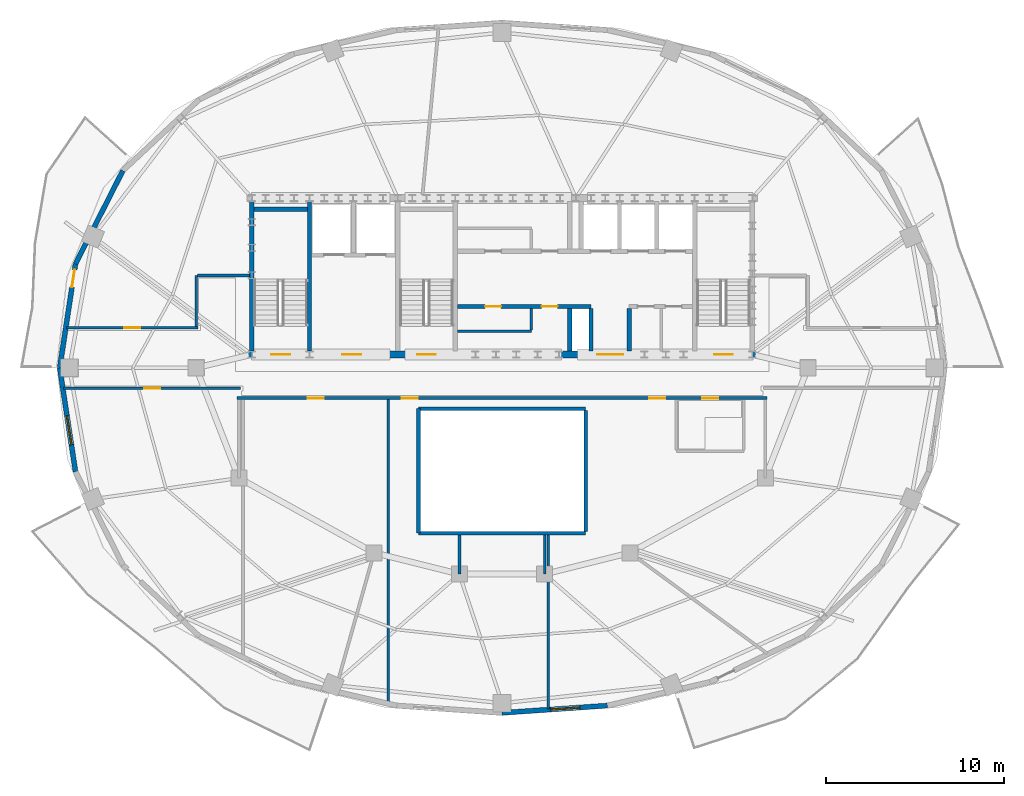
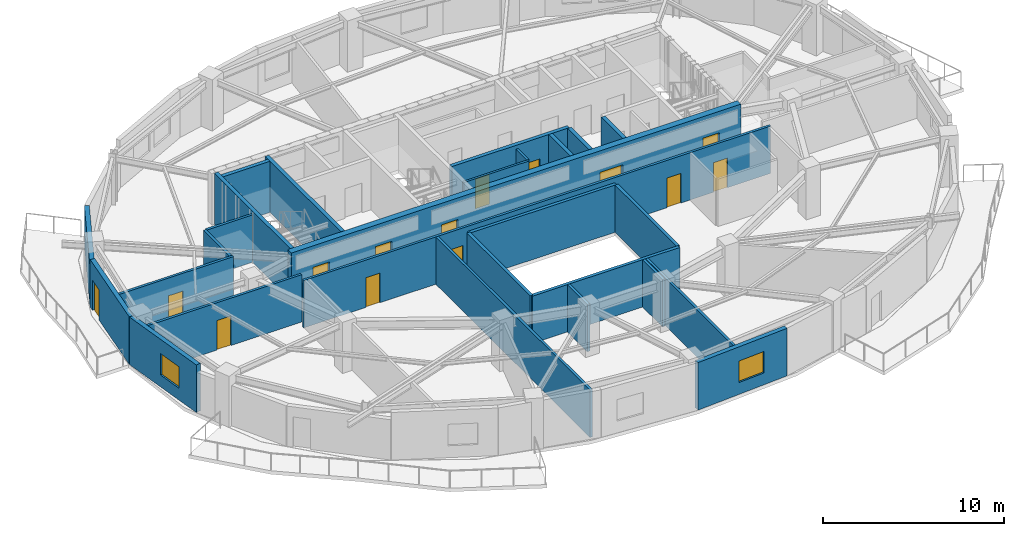
# One storey, part 4 of 10: 27 walls, 14 doors, 2 windows, 16 openings.
"""IFC4 building model written with IfcOpenShell, lengths in metres."""

from ifc_helpers import new_model, si_unit, direction, frame, frame_2d, origin, place, context, subcontext, project, spatial, rectangle, extrude, material, layer, layer_set, type_object, element, fill, save


model = new_model("IFC4")

# Units and contexts
model_context = context("Model", 3, precision=1e-05, world=origin(), true_north=direction((0.0, 1.0)))
body_context = subcontext(model_context, "Body", "Model", "MODEL_VIEW")
ifc_project = project(units=[si_unit("LENGTHUNIT", "METRE"), si_unit("AREAUNIT", "SQUARE_METRE"), si_unit("VOLUMEUNIT", "CUBIC_METRE"), si_unit("PLANEANGLEUNIT", "RADIAN"), si_unit("MASSUNIT", "GRAM", prefix="KILO")], contexts=[model_context])

# Site, building, storey
site_placement = place(None, origin())
site = spatial("IfcSite", under=ifc_project, at=site_placement, CompositionType="ELEMENT")
building_placement = place(site_placement, origin())
building = spatial("IfcBuilding", under=site, at=building_placement, Name="Haldorwick Loom Tower", CompositionType="ELEMENT")
storey_placement = place(building_placement, frame((0.0, 0.0, 266.10009765625)))
storey = spatial("IfcBuildingStorey", under=building, at=storey_placement, Name="L72", CompositionType="ELEMENT", Elevation=266.10009765625)

# Wall
ifc_material_1 = material(Name="Pressed Clay Face Brick and Insulated Masonry Backup Assembly", Category="masonry")
ifc_layer_1 = layer(ifc_material_1, 0.280029296875, Name="Pressed Clay Face Brick and Insulated Masonry Backup Assembly", Category="masonry")
ifc_layer_set_1 = layer_set([ifc_layer_1], Name="Pressed Clay Face Brick and Insulated Masonry Backup Assembly")
wall_type_1 = type_object("IfcWallType", Name="ARC-WL-EXT280", PredefinedType="STANDARD", material=ifc_layer_set_1)
wall_1_placement = place(storey_placement, frame((14.677490234375, 37.08984375, 0.0), z_axis=(0.0, 0.0, 1.0), x_axis=(-0.453100705059, -0.89145933787, 0.0)))
element("IfcWall", 1, at=wall_1_placement, inside=storey, type_object=wall_type_1, Name="L72 Brick Pier and Spandrel Wall 11", PredefinedType="STANDARD", context=body_context, shape_type="SweptSolid", body=[
    extrude(rectangle(XDim=5.879150390625, YDim=0.280029296875, at=frame_2d((2.939453125, 0.0))), origin(), (0.0, 0.0, 1.0), 2.718994140625),
])

# Wall, opening, door
wall_2_placement = place(storey_placement, frame((12.013671875, 31.848876953125, 0.0), z_axis=(0.0, 0.0, 1.0), x_axis=(-0.150497234153, -0.988610430105, 0.0)))
wall_2 = element("IfcWall", 2, at=wall_2_placement, inside=storey, type_object=wall_type_1, Name="L72 Brick Pier and Spandrel Wall 12", PredefinedType="STANDARD", context=body_context, shape_type="SweptSolid", body=[
    extrude(rectangle(XDim=5.916259765625, YDim=0.280029296875, at=frame_2d((2.9580078125, 0.0))), origin(), (0.0, 0.0, 1.0), 3.2099609375),
])
opening_1_placement = place(wall_2_placement, frame((0.340087890625, 0.0, 0.0)))
opening_1 = element("IfcOpeningElement", 3, at=opening_1_placement, cuts=wall_2, Name="Opening D-BL10", PredefinedType="OPENING", context=body_context, shape_type="SweptSolid", body=[
    extrude(rectangle(XDim=1.0, YDim=2.0400390625, at=frame_2d((0.5, 1.02001953125))), frame((0.0, 0.14990234375, 0.0), z_axis=(0.0, -1.0, 0.0), x_axis=(1.0, 0.0, 0.0)), (0.0, 0.0, 1.0), 0.300048828125),
])
ifc_material_2 = material(Name="Thermally Broken Anodized Aluminium Curtain Wall Framing", Category="aluminium")
door_type_1 = type_object("IfcDoorType", Name="ARC-DR-BAL100", OperationType="NOTDEFINED", PredefinedType="DOOR", material=ifc_material_2)
door_1_placement = place(opening_1_placement, origin())
door_1 = element("IfcDoor", 4, at=door_1_placement, inside=storey, type_object=door_type_1, Name="L72 Outdoor Terrace Door SLB-L72-BAL_WNW", OperationType="SINGLE_SWING_RIGHT", OverallHeight=2.0400390625, OverallWidth=1.0, PredefinedType="DOOR", context=body_context, shape_type="SweptSolid", body=[
    extrude(rectangle(XDim=1.0, YDim=2.0400390625, at=frame_2d((0.5, 1.02001953125))), frame((0.0, 0.02490234375, 0.0), z_axis=(0.0, -1.0, 0.0), x_axis=(1.0, 0.0, 0.0)), (0.0, 0.0, 1.0), 0.050048828125),
])
fill(opening_1, door_1)

# Wall, opening, window
wall_3_placement = place(storey_placement, frame((11.123291015625, 26.0, 0.0), z_axis=(0.0, 0.0, 1.0), x_axis=(0.150497234153, -0.988610430105, 0.0)))
wall_3 = element("IfcWall", 5, at=wall_3_placement, inside=storey, type_object=wall_type_1, Name="L72 Brick Pier and Spandrel Wall 13", PredefinedType="STANDARD", context=body_context, shape_type="SweptSolid", body=[
    extrude(rectangle(XDim=5.916259765625, YDim=0.280029296875, at=frame_2d((2.9580078125, 0.0))), origin(), (0.0, 0.0, 1.0), 3.2099609375),
])
opening_2_placement = place(wall_3_placement, frame((2.73095703125, 0.0, 0.800048828125)))
opening_2 = element("IfcOpeningElement", 6, at=opening_2_placement, cuts=wall_3, Name="Opening W-01B", PredefinedType="OPENING", context=body_context, shape_type="SweptSolid", body=[
    extrude(rectangle(XDim=1.64990234375, YDim=1.449951171875, at=frame_2d((0.824951171875, 0.72509765625))), frame((0.0, 0.14990234375, 0.0), z_axis=(0.0, -1.0, 0.0), x_axis=(1.0, 0.0, 0.0)), (0.0, 0.0, 1.0), 0.300048828125),
])
ifc_material_3 = material(Name="Triple-Glazed Low-E Argon Insulated Glazing Unit", Category="glass")
window_type = type_object("IfcWindowType", Name="ARC-WIN-W165", PartitioningType="SINGLE_PANEL", PredefinedType="WINDOW", material=ifc_material_3)
window_1_placement = place(opening_2_placement, origin())
window_1 = element("IfcWindow", 7, at=window_1_placement, inside=storey, type_object=window_type, Name="L72 Deep-Set Zone 7A Window 13", OverallHeight=1.449951171875, OverallWidth=1.64990234375, PartitioningType="SINGLE_PANEL", PredefinedType="WINDOW", context=body_context, shape_type="SweptSolid", body=[
    extrude(rectangle(XDim=1.64990234375, YDim=1.449951171875, at=frame_2d((0.824951171875, 0.72509765625))), frame((0.0, 0.030029296875, 0.0), z_axis=(0.0, -1.0, 0.0), x_axis=(1.0, 0.0, 0.0)), (0.0, 0.0, 1.0), 0.06005859375),
])
fill(opening_2, window_1)

wall_4_placement = place(storey_placement, frame((36.0, 6.60009765625, 0.0), z_axis=(0.0, 0.0, 1.0), x_axis=(0.997656066566, 0.068427865986, 0.0)))
wall_4 = element("IfcWall", 8, at=wall_4_placement, inside=storey, type_object=wall_type_1, Name="L72 Brick Pier and Spandrel Wall 19", PredefinedType="STANDARD", context=body_context, shape_type="SweptSolid", body=[
    extrude(rectangle(XDim=5.933349609375, YDim=0.280029296875, at=frame_2d((2.966796875, 0.0))), origin(), (0.0, 0.0, 1.0), 3.2099609375),
])
opening_3_placement = place(wall_4_placement, frame((2.7421875, 0.0, 0.800048828125)))
opening_3 = element("IfcOpeningElement", 9, at=opening_3_placement, cuts=wall_4, Name="Opening W-01B", PredefinedType="OPENING", context=body_context, shape_type="SweptSolid", body=[
    extrude(rectangle(XDim=1.64990234375, YDim=1.449951171875, at=frame_2d((0.824951171875, 0.72509765625))), frame((0.0, 0.14990234375, 0.0), z_axis=(0.0, -1.0, 0.0), x_axis=(1.0, 0.0, 0.0)), (0.0, 0.0, 1.0), 0.300048828125),
])
window_2_placement = place(opening_3_placement, origin())
window_2 = element("IfcWindow", 10, at=window_2_placement, inside=storey, type_object=window_type, Name="L72 Deep-Set Zone 7A Window 19", OverallHeight=1.449951171875, OverallWidth=1.64990234375, PartitioningType="SINGLE_PANEL", PredefinedType="WINDOW", context=body_context, shape_type="SweptSolid", body=[
    extrude(rectangle(XDim=1.64990234375, YDim=1.449951171875, at=frame_2d((0.824951171875, 0.72509765625))), frame((0.0, 0.030029296875, 0.0), z_axis=(0.0, -1.0, 0.0), x_axis=(1.0, 0.0, 0.0)), (0.0, 0.0, 1.0), 0.06005859375),
])
fill(opening_3, window_2)

# Wall, openings, doors
ifc_material_4 = material(Name="Fire-Rated Type X Gypsum Stud Assembly EI 60")
ifc_layer_2 = layer(ifc_material_4, 0.159912109375, Name="Fire-Rated Type X Gypsum Stud Assembly EI 60")
ifc_layer_set_2 = layer_set([ifc_layer_2], Name="Fire-Rated Type X Gypsum Stud Assembly EI 60")
wall_type_2 = type_object("IfcWallType", Name="ARC-WL-FIRE160", PredefinedType="PARTITIONING", material=ifc_layer_set_2)
wall_5_placement = place(storey_placement, frame((21.10009765625, 24.300048828125, 0.0), z_axis=(0.0, 0.0, 1.0), x_axis=(1.0, 0.0, 0.0)))
wall_5 = element("IfcWall", 11, at=wall_5_placement, inside=storey, type_object=wall_type_2, Name="L72 Residential Fire Partition L72-CR-SP", PredefinedType="PARTITIONING", context=body_context, shape_type="SweptSolid", body=[
    extrude(rectangle(XDim=29.7998046875, YDim=0.159912109375, at=frame_2d((14.89990234375, 0.0))), origin(), (0.0, 0.0, 1.0), 3.19482421875),
])
opening_4_placement = place(wall_5_placement, frame((23.169189453125, 0.0, 0.0)))
opening_4 = element("IfcOpeningElement", 12, at=opening_4_placement, cuts=wall_5, Name="Opening D-FD60A", PredefinedType="OPENING", context=body_context, shape_type="SweptSolid", body=[
    extrude(rectangle(XDim=0.89990234375, YDim=2.0, at=frame_2d((0.449951171875, 1.0))), frame((0.0, 0.08984375, 0.0), z_axis=(0.0, -1.0, 0.0), x_axis=(1.0, 0.0, 0.0)), (0.0, 0.0, 1.0), 0.179931640625),
])
opening_5_placement = place(wall_5_placement, frame((9.248779296875, 0.0, 0.0)))
opening_5 = element("IfcOpeningElement", 13, at=opening_5_placement, cuts=wall_5, Name="Opening D-FD60A", PredefinedType="OPENING", context=body_context, shape_type="SweptSolid", body=[
    extrude(rectangle(XDim=0.89990234375, YDim=2.0, at=frame_2d((0.449951171875, 1.0))), frame((0.0, 0.08984375, 0.0), z_axis=(0.0, -1.0, 0.0), x_axis=(1.0, 0.0, 0.0)), (0.0, 0.0, 1.0), 0.179931640625),
])
opening_6_placement = place(wall_5_placement, frame((3.96484375, 0.0, 0.0)))
opening_6 = element("IfcOpeningElement", 14, at=opening_6_placement, cuts=wall_5, Name="Opening D-FD60A", PredefinedType="OPENING", context=body_context, shape_type="SweptSolid", body=[
    extrude(rectangle(XDim=0.89990234375, YDim=2.0, at=frame_2d((0.449951171875, 1.0))), frame((0.0, 0.08984375, 0.0), z_axis=(0.0, -1.0, 0.0), x_axis=(1.0, 0.0, 0.0)), (0.0, 0.0, 1.0), 0.179931640625),
])
opening_7_placement = place(wall_5_placement, frame((26.1494140625, 0.0, 0.0)))
opening_7 = element("IfcOpeningElement", 15, at=opening_7_placement, cuts=wall_5, Name="Opening D-FD60A", PredefinedType="OPENING", context=body_context, shape_type="SweptSolid", body=[
    extrude(rectangle(XDim=0.89990234375, YDim=2.0, at=frame_2d((0.449951171875, 1.0))), frame((0.0, 0.08984375, 0.0), z_axis=(0.0, -1.0, 0.0), x_axis=(1.0, 0.0, 0.0)), (0.0, 0.0, 1.0), 0.179931640625),
])
ifc_material_5 = material(Name="Hollow Steel Fire Door Assembly", Category="steel")
door_type_2 = type_object("IfcDoorType", Name="ARC-DR-FD60-90", OperationType="NOTDEFINED", PredefinedType="DOOR", material=ifc_material_5)
door_2_placement = place(opening_4_placement, origin())
door_2 = element("IfcDoor", 16, at=door_2_placement, inside=storey, type_object=door_type_2, Name="L72 L72 Central Residential Corridor to Community Library Hall 2 Door", OperationType="SINGLE_SWING_RIGHT", OverallHeight=2.0, OverallWidth=0.89990234375, PredefinedType="DOOR", context=body_context, shape_type="SweptSolid", body=[
    extrude(rectangle(XDim=0.89990234375, YDim=2.0, at=frame_2d((0.449951171875, 1.0))), frame((0.0, 0.02490234375, 0.0), z_axis=(0.0, -1.0, 0.0), x_axis=(1.0, 0.0, 0.0)), (0.0, 0.0, 1.0), 0.050048828125),
])
fill(opening_4, door_2)
door_3_placement = place(opening_5_placement, origin())
door_3 = element("IfcDoor", 17, at=door_3_placement, inside=storey, type_object=door_type_2, Name="L72 L72 Central Residential Corridor to Community Library Hall 1 Door", OperationType="SINGLE_SWING_RIGHT", OverallHeight=2.0, OverallWidth=0.89990234375, PredefinedType="DOOR", context=body_context, shape_type="SweptSolid", body=[
    extrude(rectangle(XDim=0.89990234375, YDim=2.0, at=frame_2d((0.449951171875, 1.0))), frame((0.0, 0.02490234375, 0.0), z_axis=(0.0, -1.0, 0.0), x_axis=(1.0, 0.0, 0.0)), (0.0, 0.0, 1.0), 0.050048828125),
])
fill(opening_5, door_3)
door_4_placement = place(opening_6_placement, origin())
door_4 = element("IfcDoor", 18, at=door_4_placement, inside=storey, type_object=door_type_2, Name="L72 L72 Central Residential Corridor to Community Library Hall 2 Door", OperationType="SINGLE_SWING_LEFT", OverallHeight=2.0, OverallWidth=0.89990234375, PredefinedType="DOOR", context=body_context, shape_type="SweptSolid", body=[
    extrude(rectangle(XDim=0.89990234375, YDim=2.0, at=frame_2d((0.449951171875, 1.0))), frame((0.0, 0.02490234375, 0.0), z_axis=(0.0, -1.0, 0.0), x_axis=(1.0, 0.0, 0.0)), (0.0, 0.0, 1.0), 0.050048828125),
])
fill(opening_6, door_4)
door_5_placement = place(opening_7_placement, origin())
door_5 = element("IfcDoor", 19, at=door_5_placement, inside=storey, type_object=door_type_2, Name="L72 L72 Central Residential Corridor to Common Accessible WC Door", OperationType="SINGLE_SWING_RIGHT", OverallHeight=2.0, OverallWidth=0.89990234375, PredefinedType="DOOR", context=body_context, shape_type="SweptSolid", body=[
    extrude(rectangle(XDim=0.89990234375, YDim=2.0, at=frame_2d((0.449951171875, 1.0))), frame((0.0, 0.02490234375, 0.0), z_axis=(0.0, -1.0, 0.0), x_axis=(1.0, 0.0, 0.0)), (0.0, 0.0, 1.0), 0.050048828125),
])
fill(opening_7, door_5)

# Wall, opening, door
wall_6_placement = place(storey_placement, frame((11.34375, 24.85009765625, 0.0), z_axis=(0.0, 0.0, 1.0), x_axis=(1.0, 0.0, 0.0)))
wall_6 = element("IfcWall", 20, at=wall_6_placement, inside=storey, type_object=wall_type_2, Name="L72 Residential Fire Partition L72-CR-SPW", PredefinedType="PARTITIONING", context=body_context, shape_type="SweptSolid", body=[
    extrude(rectangle(XDim=9.956298828125, YDim=0.159912109375, at=frame_2d((4.97802734375, 0.0))), origin(), (0.0, 0.0, 1.0), 3.19482421875),
])
opening_8_placement = place(wall_6_placement, frame((4.528076171875, 0.0, 0.0)))
opening_8 = element("IfcOpeningElement", 21, at=opening_8_placement, cuts=wall_6, Name="Opening D-FD60A", PredefinedType="OPENING", context=body_context, shape_type="SweptSolid", body=[
    extrude(rectangle(XDim=0.89990234375, YDim=2.0, at=frame_2d((0.449951171875, 1.0))), frame((0.0, 0.08984375, 0.0), z_axis=(0.0, -1.0, 0.0), x_axis=(1.0, 0.0, 0.0)), (0.0, 0.0, 1.0), 0.179931640625),
])
door_6_placement = place(opening_8_placement, origin())
door_6 = element("IfcDoor", 22, at=door_6_placement, inside=storey, type_object=door_type_2, Name="L72 L72 Central Residential Corridor to Community Library Hall 3 Door", OperationType="SINGLE_SWING_LEFT", OverallHeight=2.0, OverallWidth=0.89990234375, PredefinedType="DOOR", context=body_context, shape_type="SweptSolid", body=[
    extrude(rectangle(XDim=0.89990234375, YDim=2.0, at=frame_2d((0.449951171875, 1.0))), frame((0.0, 0.02490234375, 0.0), z_axis=(0.0, -1.0, 0.0), x_axis=(1.0, 0.0, 0.0)), (0.0, 0.0, 1.0), 0.050048828125),
])
fill(opening_8, door_6)

wall_7_placement = place(storey_placement, frame((11.51123046875, 28.25, 0.0), z_axis=(0.0, 0.0, 1.0), x_axis=(1.0, 0.0, 0.0)))
wall_7 = element("IfcWall", 23, at=wall_7_placement, inside=storey, type_object=wall_type_2, Name="L72 Residential Fire Partition L72-CR-NWL", PredefinedType="PARTITIONING", context=body_context, shape_type="SweptSolid", body=[
    extrude(rectangle(XDim=7.388671875, YDim=0.159912109375, at=frame_2d((3.6943359375, 0.0))), origin(), (0.0, 0.0, 1.0), 3.19482421875),
])
opening_9_placement = place(wall_7_placement, frame((3.244384765625, 0.0, 0.0)))
opening_9 = element("IfcOpeningElement", 24, at=opening_9_placement, cuts=wall_7, Name="Opening D-FD60A", PredefinedType="OPENING", context=body_context, shape_type="SweptSolid", body=[
    extrude(rectangle(XDim=0.89990234375, YDim=2.0, at=frame_2d((0.449951171875, 1.0))), frame((0.0, 0.08984375, 0.0), z_axis=(0.0, -1.0, 0.0), x_axis=(1.0, 0.0, 0.0)), (0.0, 0.0, 1.0), 0.179931640625),
])
door_7_placement = place(opening_9_placement, frame((0.89990234375, 0.0, 0.0), z_axis=(0.0, 0.0, 1.0), x_axis=(-1.0, 0.0, 0.0)))
door_7 = element("IfcDoor", 25, at=door_7_placement, inside=storey, type_object=door_type_2, Name="L72 Community Library Hall 3 to L72 Central Residential Corridor Door", OperationType="SINGLE_SWING_RIGHT", OverallHeight=2.0, OverallWidth=0.89990234375, PredefinedType="DOOR", context=body_context, shape_type="SweptSolid", body=[
    extrude(rectangle(XDim=0.89990234375, YDim=2.0, at=frame_2d((0.449951171875, 1.0))), frame((0.0, 0.02490234375, 0.0), z_axis=(0.0, -1.0, 0.0), x_axis=(1.0, 0.0, 0.0)), (0.0, 0.0, 1.0), 0.050048828125),
])
fill(opening_9, door_7)

# Walls
wall_8_placement = place(storey_placement, frame((18.800048828125, 28.3330078125, 0.0), z_axis=(0.0, 0.0, 1.0), x_axis=(0.0, 1.0, 0.0)))
element("IfcWall", 26, at=wall_8_placement, inside=storey, type_object=wall_type_2, Name="L72 Residential Fire Partition L72-CR-W0", PredefinedType="PARTITIONING", context=body_context, shape_type="SweptSolid", body=[
    extrude(rectangle(XDim=2.866943359375, YDim=0.159912109375, at=frame_2d((1.43359375, 0.0))), origin(), (0.0, 0.0, 1.0), 3.19482421875),
])
wall_9_placement = place(storey_placement, frame((18.883056640625, 31.199951171875, 0.0), z_axis=(0.0, 0.0, 1.0), x_axis=(1.0, 0.0, 0.0)))
element("IfcWall", 27, at=wall_9_placement, inside=storey, type_object=wall_type_2, Name="L72 Residential Fire Partition L72-CR-WNJ", PredefinedType="PARTITIONING", context=body_context, shape_type="SweptSolid", body=[
    extrude(rectangle(XDim=2.923828125, YDim=0.159912109375, at=frame_2d((1.4619140625, 0.0))), origin(), (0.0, 0.0, 1.0), 3.19482421875),
])
wall_10_placement = place(storey_placement, frame((29.60009765625, 7.162841796875, 0.0), z_axis=(0.0, 0.0, 1.0), x_axis=(0.0, 1.0, 0.0)))
element("IfcWall", 28, at=wall_10_placement, inside=storey, type_object=wall_type_2, Name="L72 Residential Fire Partition L72-SBP-0", PredefinedType="PARTITIONING", context=body_context, shape_type="SweptSolid", body=[
    extrude(rectangle(XDim=17.05419921875, YDim=0.159912109375, at=frame_2d((8.527099609375, 0.0))), origin(), (0.0, 0.0, 1.0), 3.19482421875),
])
wall_11_placement = place(storey_placement, frame((38.60009765625, 6.823486328125, 0.0), z_axis=(0.0, 0.0, 1.0), x_axis=(0.0, 1.0, 0.0)))
element("IfcWall", 29, at=wall_11_placement, inside=storey, type_object=wall_type_2, Name="L72 Residential Fire Partition L72-SBP-1", PredefinedType="PARTITIONING", context=body_context, shape_type="SweptSolid", body=[
    extrude(rectangle(XDim=9.7734375, YDim=0.159912109375, at=frame_2d((4.88671875, 0.0))), origin(), (0.0, 0.0, 1.0), 3.19482421875),
])
for number, where, z_axis, x_axis, name in (
    (30, (38.39990234375, 16.596923828125, 0.0), (0.0, 0.0, 1.0), (0.0, -1.0, 0.0), "L72 Residential Fire Partition L72-ICA-04"),
    (31, (33.60009765625, 16.596923828125, 0.0), (0.0, 0.0, 1.0), (0.0, -1.0, 0.0), "L72 Residential Fire Partition L72-ICA-05"),
):
    element("IfcWall", number, at=place(storey_placement, frame(where, z_axis=z_axis, x_axis=x_axis)), inside=storey, type_object=wall_type_2, Name=name, PredefinedType="PARTITIONING", context=body_context, shape_type="SweptSolid", body=[
        extrude(rectangle(XDim=2.197021484375, YDim=0.159912109375, at=frame_2d((1.0986328125, 0.0))), origin(), (0.0, 0.0, 1.0), 3.19482421875),
    ])
ifc_material_6 = material(Name="Fire-Rated Type X Gypsum Stud Assembly EI 120")
ifc_layer_3 = layer(ifc_material_6, 0.199951171875, Name="Fire-Rated Type X Gypsum Stud Assembly EI 120")
ifc_layer_set_3 = layer_set([ifc_layer_3], Name="Fire-Rated Type X Gypsum Stud Assembly EI 120")
wall_type_3 = type_object("IfcWallType", Name="ARC-WL-FIRE200", PredefinedType="PARTITIONING", material=ifc_layer_set_3)
for number, where, z_axis, x_axis, name in (
    (32, (31.300048828125, 23.699951171875, 0.0), (0.0, 0.0, 1.0), (1.0, 0.0, 0.0), "L72 Atrium Fire Enclosure Wall N"),
    (33, (40.699951171875, 16.699951171875, 0.0), (0.0, 0.0, 1.0), (-1.0, 0.0, 0.0), "L72 Atrium Fire Enclosure Wall S"),
):
    element("IfcWall", number, at=place(storey_placement, frame(where, z_axis=z_axis, x_axis=x_axis)), inside=storey, type_object=wall_type_3, Name=name, PredefinedType="PARTITIONING", context=body_context, shape_type="SweptSolid", body=[
        extrude(rectangle(XDim=9.39990234375, YDim=0.199951171875, at=frame_2d((4.699951171875, 0.0))), origin(), (0.0, 0.0, 1.0), 3.19482421875),
    ])
wall_12_placement = place(storey_placement, frame((31.300048828125, 16.699951171875, 0.0), z_axis=(0.0, 0.0, 1.0), x_axis=(0.0, 1.0, 0.0)))
element("IfcWall", 34, at=wall_12_placement, inside=storey, type_object=wall_type_3, Name="L72 Atrium Fire Enclosure Wall W", PredefinedType="PARTITIONING", context=body_context, shape_type="SweptSolid", body=[
    extrude(rectangle(XDim=7.0, YDim=0.199951171875, at=frame_2d((3.5, 0.0))), origin(), (0.0, 0.0, 1.0), 3.19482421875),
])
wall_13_placement = place(storey_placement, frame((40.699951171875, 23.596923828125, 0.0), z_axis=(0.0, 0.0, 1.0), x_axis=(0.0, -1.0, 0.0)))
element("IfcWall", 35, at=wall_13_placement, inside=storey, type_object=wall_type_3, Name="L72 Atrium Fire Enclosure Wall E", PredefinedType="PARTITIONING", context=body_context, shape_type="SweptSolid", body=[
    extrude(rectangle(XDim=6.7939453125, YDim=0.199951171875, at=frame_2d((3.39697265625, 0.0))), origin(), (0.0, 0.0, 1.0), 3.19482421875),
])
ifc_layer_4 = layer(ifc_material_4, 0.139892578125, Name="Fire-Rated Type X Gypsum Stud Assembly EI 60")
ifc_layer_set_4 = layer_set([ifc_layer_4], Name="Fire-Rated Type X Gypsum Stud Assembly EI 60")
wall_type_4 = type_object("IfcWallType", Name="ARC-WL-PART140", PredefinedType="PARTITIONING", material=ifc_layer_set_4)
wall_14_placement = place(storey_placement, frame((33.492919921875, 28.050048828125, 0.0), z_axis=(0.0, 0.0, 1.0), x_axis=(1.0, 0.0, 0.0)))
element("IfcWall", 36, at=wall_14_placement, inside=storey, type_object=wall_type_4, Name="L72 Mid-Bank North Partition", PredefinedType="PARTITIONING", context=body_context, shape_type="SweptSolid", body=[
    extrude(rectangle(XDim=4.156982421875, YDim=0.139892578125, at=frame_2d((2.07861328125, 0.0))), origin(), (0.0, 0.0, 1.0), 3.19482421875),
])
wall_15_placement = place(storey_placement, frame((37.64990234375, 28.123046875, 0.0), z_axis=(0.0, 0.0, 1.0), x_axis=(0.0, 1.0, 0.0)))
element("IfcWall", 37, at=wall_15_placement, inside=storey, type_object=wall_type_4, Name="L72 Mid-Bank East Partition", PredefinedType="PARTITIONING", context=body_context, shape_type="SweptSolid", body=[
    extrude(rectangle(XDim=1.203857421875, YDim=0.139892578125, at=frame_2d((0.60205078125, 0.0))), origin(), (0.0, 0.0, 1.0), 3.19482421875),
])

# Wall, openings, doors
ifc_material_7 = material(Name="Concrete C50 (50 MPa)", Category="concrete")
ifc_layer_5 = layer(ifc_material_7, 0.39990234375, Name="Concrete C50 (50 MPa)", Category="concrete")
ifc_layer_set_5 = layer_set([ifc_layer_5], Name="Concrete C50 (50 MPa)")
wall_type_5 = type_object("IfcWallType", Name="STR-WL-CORE400", PredefinedType="SHEAR", material=ifc_layer_set_5)
wall_16_placement = place(storey_placement, frame((21.64990234375, 26.75, 0.0), z_axis=(0.0, 0.0, 1.0), x_axis=(1.0, 0.0, 0.0)))
wall_16 = element("IfcWall", 38, at=wall_16_placement, inside=storey, type_object=wall_type_5, Name="L72 Core Shear Wall S", PredefinedType="SHEAR", context=body_context, shape_type="SweptSolid", body=[
    extrude(rectangle(XDim=28.7001953125, YDim=0.39990234375, at=frame_2d((14.35009765625, 0.0))), origin(), (0.0, 0.0, 1.0), 3.449951171875),
])
opening_10_placement = place(wall_16_placement, frame((1.375, 0.0, 0.0)))
opening_10 = element("IfcOpeningElement", 39, at=opening_10_placement, cuts=wall_16, Name="Opening D-FD60", PredefinedType="OPENING", context=body_context, shape_type="SweptSolid", body=[
    extrude(rectangle(XDim=1.050048828125, YDim=2.0, at=frame_2d((0.52490234375, 1.0))), frame((0.0, 0.2099609375, 0.0), z_axis=(0.0, -1.0, 0.0), x_axis=(1.0, 0.0, 0.0)), (0.0, 0.0, 1.0), 0.419921875),
])
opening_11_placement = place(wall_16_placement, frame((5.375, 0.0, 0.0)))
opening_11 = element("IfcOpeningElement", 40, at=opening_11_placement, cuts=wall_16, Name="Opening D-FD60", PredefinedType="OPENING", context=body_context, shape_type="SweptSolid", body=[
    extrude(rectangle(XDim=1.050048828125, YDim=2.0, at=frame_2d((0.52490234375, 1.0))), frame((0.0, 0.2099609375, 0.0), z_axis=(0.0, -1.0, 0.0), x_axis=(1.0, 0.0, 0.0)), (0.0, 0.0, 1.0), 0.419921875),
])
opening_12_placement = place(wall_16_placement, frame((9.574951171875, 0.0, 0.0)))
opening_12 = element("IfcOpeningElement", 41, at=opening_12_placement, cuts=wall_16, Name="Opening D-FD60", PredefinedType="OPENING", context=body_context, shape_type="SweptSolid", body=[
    extrude(rectangle(XDim=1.050048828125, YDim=2.0, at=frame_2d((0.52490234375, 1.0))), frame((0.0, 0.2099609375, 0.0), z_axis=(0.0, -1.0, 0.0), x_axis=(1.0, 0.0, 0.0)), (0.0, 0.0, 1.0), 0.419921875),
])
opening_13_placement = place(wall_16_placement, frame((19.705078125, 0.0, 0.0)))
opening_13 = element("IfcOpeningElement", 42, at=opening_13_placement, cuts=wall_16, Name="Opening D-LB15", PredefinedType="OPENING", context=body_context, shape_type="SweptSolid", body=[
    extrude(rectangle(XDim=1.449951171875, YDim=2.0, at=frame_2d((0.72509765625, 1.0))), frame((0.0, 0.2099609375, 0.0), z_axis=(0.0, -1.0, 0.0), x_axis=(1.0, 0.0, 0.0)), (0.0, 0.0, 1.0), 0.419921875),
])
opening_14_placement = place(wall_16_placement, frame((26.27490234375, 0.0, 0.0)))
opening_14 = element("IfcOpeningElement", 43, at=opening_14_placement, cuts=wall_16, Name="Opening D-FD60", PredefinedType="OPENING", context=body_context, shape_type="SweptSolid", body=[
    extrude(rectangle(XDim=1.050048828125, YDim=2.0, at=frame_2d((0.52490234375, 1.0))), frame((0.0, 0.2099609375, 0.0), z_axis=(0.0, -1.0, 0.0), x_axis=(1.0, 0.0, 0.0)), (0.0, 0.0, 1.0), 0.419921875),
])
door_type_3 = type_object("IfcDoorType", Name="ARC-DR-FD60", OperationType="NOTDEFINED", PredefinedType="DOOR", material=ifc_material_5)
door_8_placement = place(opening_10_placement, origin())
door_8 = element("IfcDoor", 44, at=door_8_placement, inside=storey, type_object=door_type_3, Name="L72 Exit Stair ST-01 Fire Door", OperationType="SINGLE_SWING_RIGHT", OverallHeight=2.0, OverallWidth=1.050048828125, PredefinedType="DOOR", context=body_context, shape_type="SweptSolid", body=[
    extrude(rectangle(XDim=1.050048828125, YDim=2.0, at=frame_2d((0.52490234375, 1.0))), frame((0.0, 0.02490234375, 0.0), z_axis=(0.0, -1.0, 0.0), x_axis=(1.0, 0.0, 0.0)), (0.0, 0.0, 1.0), 0.050048828125),
])
fill(opening_10, door_8)
door_9_placement = place(opening_11_placement, origin())
door_9 = element("IfcDoor", 45, at=door_9_placement, inside=storey, type_object=door_type_3, Name="L72 Firefighting Lift Lobby Fire Door", OperationType="SINGLE_SWING_LEFT", OverallHeight=2.0, OverallWidth=1.050048828125, PredefinedType="DOOR", context=body_context, shape_type="SweptSolid", body=[
    extrude(rectangle(XDim=1.050048828125, YDim=2.0, at=frame_2d((0.52490234375, 1.0))), frame((0.0, 0.02490234375, 0.0), z_axis=(0.0, -1.0, 0.0), x_axis=(1.0, 0.0, 0.0)), (0.0, 0.0, 1.0), 0.050048828125),
])
fill(opening_11, door_9)
door_10_placement = place(opening_12_placement, origin())
door_10 = element("IfcDoor", 46, at=door_10_placement, inside=storey, type_object=door_type_3, Name="L72 Exit Stair ST-03 Fire Door", OperationType="SINGLE_SWING_LEFT", OverallHeight=2.0, OverallWidth=1.050048828125, PredefinedType="DOOR", context=body_context, shape_type="SweptSolid", body=[
    extrude(rectangle(XDim=1.050048828125, YDim=2.0, at=frame_2d((0.52490234375, 1.0))), frame((0.0, 0.02490234375, 0.0), z_axis=(0.0, -1.0, 0.0), x_axis=(1.0, 0.0, 0.0)), (0.0, 0.0, 1.0), 0.050048828125),
])
fill(opening_12, door_10)
door_11_placement = place(opening_14_placement, origin())
door_11 = element("IfcDoor", 47, at=door_11_placement, inside=storey, type_object=door_type_3, Name="L72 Exit Stair ST-02 Fire Door", OperationType="SINGLE_SWING_LEFT", OverallHeight=2.0, OverallWidth=1.050048828125, PredefinedType="DOOR", context=body_context, shape_type="SweptSolid", body=[
    extrude(rectangle(XDim=1.050048828125, YDim=2.0, at=frame_2d((0.52490234375, 1.0))), frame((0.0, 0.02490234375, 0.0), z_axis=(0.0, -1.0, 0.0), x_axis=(1.0, 0.0, 0.0)), (0.0, 0.0, 1.0), 0.050048828125),
])
fill(opening_14, door_11)
ifc_material_8 = material(Name="Thermally Broken Anodized Aluminium and Tempered Glass", Category="aluminium")
door_type_4 = type_object("IfcDoorType", Name="ARC-DR-LOB150", OperationType="NOTDEFINED", PredefinedType="DOOR", material=ifc_material_8)
door_12_placement = place(opening_13_placement, frame((1.449951171875, 0.0, 0.0), z_axis=(0.0, 0.0, 1.0), x_axis=(-1.0, 0.0, 0.0)))
door_12 = element("IfcDoor", 48, at=door_12_placement, inside=storey, type_object=door_type_4, Name="L72 Passenger Lift Lobby Fire Door", OperationType="DOUBLE_DOOR_SINGLE_SWING", OverallHeight=2.0, OverallWidth=1.449951171875, PredefinedType="DOOR", context=body_context, shape_type="SweptSolid", body=[
    extrude(rectangle(XDim=1.449951171875, YDim=2.0, at=frame_2d((0.72509765625, 1.0))), frame((0.0, 0.02490234375, 0.0), z_axis=(0.0, -1.0, 0.0), x_axis=(1.0, 0.0, 0.0)), (0.0, 0.0, 1.0), 0.050048828125),
])
fill(opening_13, door_12)

# Walls
ifc_layer_6 = layer(ifc_material_7, 0.239990234375, Name="Concrete C50 (50 MPa)", Category="concrete")
ifc_layer_set_6 = layer_set([ifc_layer_6], Name="Concrete C50 (50 MPa)")
wall_type_6 = type_object("IfcWallType", Name="STR-WL-SHAFT240", PredefinedType="SHEAR", material=ifc_layer_set_6)
for number, where, z_axis, x_axis, name in (
    (49, (21.929931640625, 35.346923828125, 0.0), (0.0, 0.0, 1.0), (0.0, -1.0, 0.0), "L72 Core Shear Wall W"),
    (50, (25.169921875, 26.952880859375, 0.0), (0.0, 0.0, 1.0), (0.0, 1.0, 0.0), "L72 Core Shear Wall 1"),
):
    element("IfcWall", number, at=place(storey_placement, frame(where, z_axis=z_axis, x_axis=x_axis)), inside=storey, type_object=wall_type_6, Name=name, PredefinedType="SHEAR", context=body_context, shape_type="SweptSolid", body=[
        extrude(rectangle(XDim=8.39404296875, YDim=0.239990234375, at=frame_2d((4.197021484375, 0.0))), origin(), (0.0, 0.0, 1.0), 3.449951171875),
    ])
wall_17_placement = place(storey_placement, frame((22.052978515625, 34.919921875, 0.0), z_axis=(0.0, 0.0, 1.0), x_axis=(1.0, 0.0, 0.0)))
element("IfcWall", 51, at=wall_17_placement, inside=storey, type_object=wall_type_6, Name="L72 Core Shear Wall 1N", PredefinedType="SHEAR", context=body_context, shape_type="SweptSolid", body=[
    extrude(rectangle(XDim=2.994140625, YDim=0.239990234375, at=frame_2d((1.4970703125, 0.0))), origin(), (0.0, 0.0, 1.0), 3.449951171875),
])

# Wall, openings, doors
wall_18_placement = place(storey_placement, frame((33.492919921875, 29.449951171875, 0.0), z_axis=(0.0, 0.0, 1.0), x_axis=(1.0, 0.0, 0.0)))
wall_18 = element("IfcWall", 52, at=wall_18_placement, inside=storey, type_object=wall_type_6, Name="L72 Core Shear Wall LS1", PredefinedType="SHEAR", context=body_context, shape_type="SweptSolid", body=[
    extrude(rectangle(XDim=7.507080078125, YDim=0.239990234375, at=frame_2d((3.75341796875, 0.0))), origin(), (0.0, 0.0, 1.0), 3.449951171875),
])
opening_15_placement = place(wall_18_placement, frame((1.556884765625, 0.0, 0.0)))
opening_15 = element("IfcOpeningElement", 53, at=opening_15_placement, cuts=wall_18, Name="Opening D-FD60A", PredefinedType="OPENING", context=body_context, shape_type="SweptSolid", body=[
    extrude(rectangle(XDim=0.89990234375, YDim=2.0, at=frame_2d((0.449951171875, 1.0))), frame((0.0, 0.1298828125, 0.0), z_axis=(0.0, -1.0, 0.0), x_axis=(1.0, 0.0, 0.0)), (0.0, 0.0, 1.0), 0.260009765625),
])
opening_16_placement = place(wall_18_placement, frame((4.737060546875, 0.0, 0.0)))
opening_16 = element("IfcOpeningElement", 54, at=opening_16_placement, cuts=wall_18, Name="Opening D-FD60A", PredefinedType="OPENING", context=body_context, shape_type="SweptSolid", body=[
    extrude(rectangle(XDim=0.89990234375, YDim=2.0, at=frame_2d((0.449951171875, 1.0))), frame((0.0, 0.1298828125, 0.0), z_axis=(0.0, -1.0, 0.0), x_axis=(1.0, 0.0, 0.0)), (0.0, 0.0, 1.0), 0.260009765625),
])
door_13_placement = place(opening_15_placement, origin())
door_13 = element("IfcDoor", 55, at=door_13_placement, inside=storey, type_object=door_type_2, Name="L72 Sky Storage Door", OperationType="SINGLE_SWING_LEFT", OverallHeight=2.0, OverallWidth=0.89990234375, PredefinedType="DOOR", context=body_context, shape_type="SweptSolid", body=[
    extrude(rectangle(XDim=0.89990234375, YDim=2.0, at=frame_2d((0.449951171875, 1.0))), frame((0.0, 0.02490234375, 0.0), z_axis=(0.0, -1.0, 0.0), x_axis=(1.0, 0.0, 0.0)), (0.0, 0.0, 1.0), 0.050048828125),
])
fill(opening_15, door_13)
door_14_placement = place(opening_16_placement, origin())
door_14 = element("IfcDoor", 56, at=door_14_placement, inside=storey, type_object=door_type_2, Name="L72 Communications Door", OperationType="SINGLE_SWING_RIGHT", OverallHeight=2.0, OverallWidth=0.89990234375, PredefinedType="DOOR", context=body_context, shape_type="SweptSolid", body=[
    extrude(rectangle(XDim=0.89990234375, YDim=2.0, at=frame_2d((0.449951171875, 1.0))), frame((0.0, 0.02490234375, 0.0), z_axis=(0.0, -1.0, 0.0), x_axis=(1.0, 0.0, 0.0)), (0.0, 0.0, 1.0), 0.050048828125),
])
fill(opening_16, door_14)

# Walls
for number, where, z_axis, x_axis, name in (
    (57, (41.0, 26.952880859375, 0.0), (0.0, 0.0, 1.0), (0.0, 1.0, 0.0), "L72 Core Shear Wall THW"),
    (58, (43.14990234375, 26.952880859375, 0.0), (0.0, 0.0, 1.0), (0.0, 1.0, 0.0), "L72 Core Shear Wall THE"),
    (59, (39.800048828125, 26.952880859375, 0.0), (0.0, 0.0, 1.0), (0.0, 1.0, 0.0), "L72 Core Shear Wall MRW"),
):
    element("IfcWall", number, at=place(storey_placement, frame(where, z_axis=z_axis, x_axis=x_axis)), inside=storey, type_object=wall_type_6, Name=name, PredefinedType="SHEAR", context=body_context, shape_type="SweptSolid", body=[
        extrude(rectangle(XDim=2.3740234375, YDim=0.239990234375, at=frame_2d((1.18701171875, 0.0))), origin(), (0.0, 0.0, 1.0), 3.449951171875),
    ])

save(model, "model.ifc")
